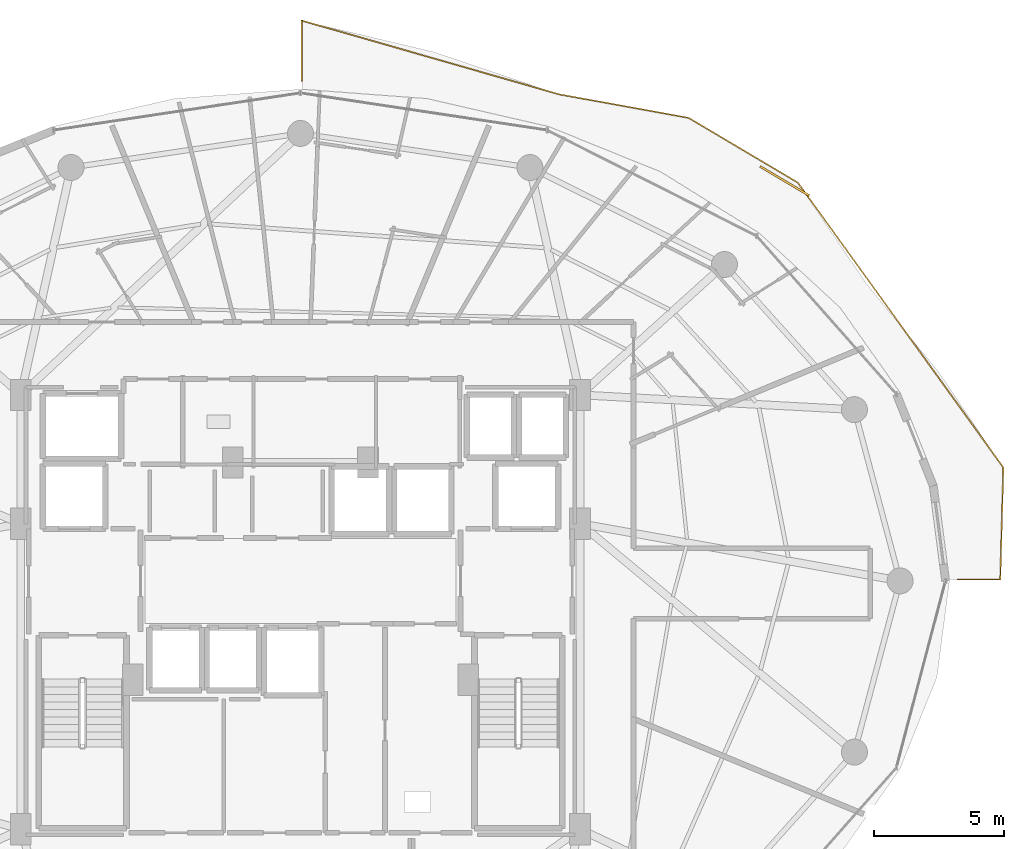
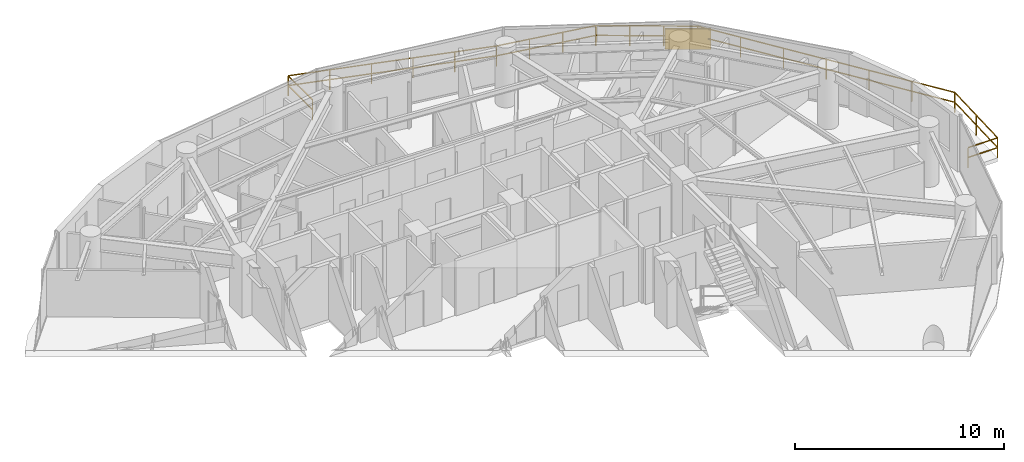
# One storey, part 27 of 28: 2 railings, 1 shading device.
"""IFC4 building model written with IfcOpenShell, lengths in metres."""

import ifcopenshell
import ifcopenshell.guid

model = None  # the IFC model being written
_history = None  # IfcOwnerHistory: only IFC2X3 demands one
_inside = {}  # id of a spatial element -> (the spatial element, [elements in it])
_under = {}  # id of a project, library or spatial element -> (it, [spatial elements below it])
_declared = {}  # id of a project -> (the project, [libraries it declares])
_typed = {}  # id of a type object -> (the type object, [elements of that type])
_made_of = {}  # id of a material, layer set ... -> (it, [elements and type objects made of it])


def new_model(schema):
    """Start an empty IFC model of exactly this schema.

    Asked for "IFC4X3", IfcOpenShell would pick the latest addendum, in which some entities
    have other attributes; the version numbers below select the first issue.
    IFC2X3 requires an IfcOwnerHistory on every rooted entity: one is made here for all.
    """
    global model, _history
    if schema == "IFC4X3":
        model = ifcopenshell.file(schema_version=(4, 3, 0, 0))
    else:
        model = ifcopenshell.file(schema=schema)
    _inside.clear()
    _under.clear()
    _declared.clear()
    _typed.clear()
    _made_of.clear()
    _history = None
    if model.schema == "IFC2X3":
        org = make("IfcOrganization", Name="unknown")
        user = make(
            "IfcPersonAndOrganization",
            ThePerson=make("IfcPerson", FamilyName="unknown"),
            TheOrganization=org,
        )
        app = make(
            "IfcApplication",
            ApplicationDeveloper=org,
            Version="unknown",
            ApplicationFullName="unknown",
            ApplicationIdentifier="unknown",
        )
        _history = make(
            "IfcOwnerHistory",
            OwningUser=user,
            OwningApplication=app,
            ChangeAction="ADDED",
            CreationDate=0,
        )
    return model


def make(cls, **values):
    """One entity of the class cls with the attributes given. An attribute that is None is left unset."""
    return model.create_entity(
        cls, **{name: value for name, value in values.items() if value is not None}
    )


def rooted(cls, **values):
    """An entity with a GlobalId (a new one), such as an element, a storey or a relation."""
    return make(cls, GlobalId=ifcopenshell.guid.new(), OwnerHistory=_history, **values)


def si_unit(unit_type, name, prefix=None):
    """IfcSIUnit, for example si_unit("LENGTHUNIT", "METRE", prefix="MILLI")."""
    return make("IfcSIUnit", UnitType=unit_type, Prefix=prefix, Name=name)


def assignment(units):
    """IfcUnitAssignment: the units of a project."""
    return None if units is None else make("IfcUnitAssignment", Units=units)


def point(xyz):
    """IfcCartesianPoint."""
    return None if xyz is None else make("IfcCartesianPoint", Coordinates=xyz)


def direction(xyz):
    """IfcDirection."""
    return None if xyz is None else make("IfcDirection", DirectionRatios=xyz)


def frame(location, z_axis=None, x_axis=None):
    """IfcAxis2Placement3D, a coordinate frame: its origin and axes. An axis left out is left unset."""
    return make(
        "IfcAxis2Placement3D",
        Location=point(location),
        Axis=direction(z_axis),
        RefDirection=direction(x_axis),
    )


def frame_2d(location, x_axis=None):
    """IfcAxis2Placement2D, a coordinate frame in the plane: its origin and x axis."""
    return make(
        "IfcAxis2Placement2D", Location=point(location), RefDirection=direction(x_axis)
    )


def origin():
    """The frame at (0, 0, 0) with its axes left unset."""
    return frame((0.0, 0.0, 0.0))


def origin_2d():
    """The frame at (0, 0) in the plane with its x axis left unset."""
    return frame_2d((0.0, 0.0))


def place(relative_to, where):
    """IfcLocalPlacement: puts the frame where relative to a parent placement (None: the world)."""
    return make(
        "IfcLocalPlacement", PlacementRelTo=relative_to, RelativePlacement=where
    )


def context(
    kind, dimensions, precision=None, world=None, true_north=None, identifier=None
):
    """IfcGeometricRepresentationContext, for example the 3D "Model" context."""
    return make(
        "IfcGeometricRepresentationContext",
        ContextIdentifier=identifier,
        ContextType=kind,
        CoordinateSpaceDimension=dimensions,
        Precision=precision,
        WorldCoordinateSystem=world,
        TrueNorth=true_north,
    )


def subcontext(parent, identifier, kind, view, scale=None):
    """IfcGeometricRepresentationSubContext, for example "Body" below "Model"."""
    return make(
        "IfcGeometricRepresentationSubContext",
        ContextIdentifier=identifier,
        ContextType=kind,
        ParentContext=parent,
        TargetScale=scale,
        TargetView=view,
    )


def project(units=None, contexts=None):
    """IfcProject with its units and contexts."""
    return rooted(
        "IfcProject",
        Name="project",
        RepresentationContexts=contexts,
        UnitsInContext=assignment(units),
    )


def spatial(cls, under=None, at=None, **own):
    """A site, building, storey or space (cls), placed at a placement, below another one or the project."""
    s = rooted(cls, ObjectPlacement=at, **own)
    if under is not None:
        _under.setdefault(under.id(), (under, []))[1].append(s)
    return s


def profile(cls, at=None, kind="AREA", **sizes):
    """A parametric profile (cls). Its sizes go by their IFC names, for example OverallWidth=200.0."""
    return make(cls, ProfileType=kind, Position=at, **sizes)


def rectangle(**sizes):
    """IfcRectangleProfileDef."""
    return profile("IfcRectangleProfileDef", **sizes)


def extrude(swept, where, along, depth):
    """IfcExtrudedAreaSolid: the profile swept, set in the frame where, extruded along a direction by depth."""
    return make(
        "IfcExtrudedAreaSolid",
        SweptArea=swept,
        Position=where,
        ExtrudedDirection=direction(along),
        Depth=depth,
    )


def shape(context_of_items, identifier, shape_type, items):
    """IfcShapeRepresentation: the items that make up one representation, for example the "Body"."""
    return make(
        "IfcShapeRepresentation",
        ContextOfItems=context_of_items,
        RepresentationIdentifier=identifier,
        RepresentationType=shape_type,
        Items=items,
    )


def material(Name=None, Category=None):
    """IfcMaterial."""
    return make("IfcMaterial", Name=Name, Category=Category)


def made_of(thing, what):
    """Note that an element or type object is made of a material, layer set ...; save() writes the relation."""
    if what is not None:
        _made_of.setdefault(what.id(), (what, []))[1].append(thing)
    return thing


def type_object(cls, material=None, **own):
    """A type object (cls), such as IfcWallType, which elements share."""
    return made_of(rooted(cls, **own), material)


def element(
    cls,
    number,
    at=None,
    inside=None,
    cuts=None,
    type_object=None,
    material=None,
    context=None,
    identifier="Body",
    shape_type=None,
    held_by="IfcProductDefinitionShape",
    body=None,
    shapes=None,
    **own,
):
    """One element of the class cls, such as IfcWall. Its Tag is "e" and its number.

    at: its placement. inside: the storey or other place that contains it. cuts: it is an
    opening in that element (IfcRelVoidsElement). A single representation is given by context,
    identifier, shape_type and body (its items); several are given by shapes. held_by: the class
    of the entity that holds the representations. save() writes the other relations.
    """
    e = rooted(cls, Tag="e%d" % number, ObjectPlacement=at, **own)
    if body is not None:
        shapes = [shape(context, identifier, shape_type, body)]
    if shapes is not None:
        e.Representation = make(held_by, Representations=shapes)
    if inside is not None:
        _inside.setdefault(inside.id(), (inside, []))[1].append(e)
    if cuts is not None:
        rooted(
            "IfcRelVoidsElement", RelatingBuildingElement=cuts, RelatedOpeningElement=e
        )
    if type_object is not None:
        _typed.setdefault(type_object.id(), (type_object, []))[1].append(e)
    return made_of(e, material)


def aggregate(whole, parts):
    """IfcRelAggregates: a whole, such as a stair, and the parts it consists of."""
    return rooted("IfcRelAggregates", RelatingObject=whole, RelatedObjects=parts)


def save(model, path):
    """Write the relations noted so far, then the file.

    IfcRelAggregates (storeys below a building ...), IfcRelContainedInSpatialStructure (elements
    in a storey), IfcRelDefinesByType, IfcRelAssociatesMaterial and IfcRelDeclares: one each for
    every whole, place, type object, material and project.
    """
    for whole, parts in _under.values():
        aggregate(whole, parts)
    for where, things in _inside.values():
        rooted(
            "IfcRelContainedInSpatialStructure",
            RelatedElements=things,
            RelatingStructure=where,
        )
    for kind, things in _typed.values():
        rooted("IfcRelDefinesByType", RelatedObjects=things, RelatingType=kind)
    for what, things in _made_of.values():
        rooted("IfcRelAssociatesMaterial", RelatedObjects=things, RelatingMaterial=what)
    for by, libraries in _declared.values():
        rooted("IfcRelDeclares", RelatingContext=by, RelatedDefinitions=libraries)
    model.write(path)


model = new_model("IFC4")

# Units and contexts
model_context = context("Model", 3, precision=1e-05, world=origin(), true_north=direction((0.0, 1.0)))
body_context = subcontext(model_context, "Body", "Model", "MODEL_VIEW")
ifc_project = project(units=[si_unit("LENGTHUNIT", "METRE"), si_unit("AREAUNIT", "SQUARE_METRE"), si_unit("VOLUMEUNIT", "CUBIC_METRE"), si_unit("PLANEANGLEUNIT", "RADIAN"), si_unit("MASSUNIT", "GRAM", prefix="KILO")], contexts=[model_context])

# Site, building, storey
site_placement = place(None, origin())
site = spatial("IfcSite", under=ifc_project, at=site_placement, CompositionType="ELEMENT")
building_placement = place(site_placement, origin())
building = spatial("IfcBuilding", under=site, at=building_placement, Name="Vorneva Point Tower", CompositionType="ELEMENT")
storey_placement = place(building_placement, frame((0.0, 0.0, 143.10009765625)))
storey = spatial("IfcBuildingStorey", under=building, at=storey_placement, Name="L38", CompositionType="ELEMENT", Elevation=143.10009765625)

# Railings
ifc_material = material(Name="Pale anodised aluminium", Category="aluminium")
railing_type = type_object("IfcRailingType", Name="RL-BAL-1200", PredefinedType="BALUSTRADE", material=ifc_material)
railing_1_placement = place(storey_placement, frame((38.050048828125, 47.5380859375, 0.0)))
element("IfcRailing", 1, at=railing_1_placement, inside=storey, type_object=railing_type, Name="L38 Wave Balcony Balustrade NE.1", PredefinedType="BALUSTRADE", context=body_context, shape_type="SweptSolid", body=[
    extrude(rectangle(XDim=0.048095703125, YDim=0.048095703125, at=origin_2d()), frame((0.0, 0.0, 1.17578125), z_axis=(0.0, -1.0, 0.0), x_axis=(1.0, 0.0, 0.0)), (0.0, 0.0, 1.0), 2.32080078125),
    extrude(rectangle(XDim=0.048095703125, YDim=0.048095703125, at=origin_2d()), frame((0.0, 0.0, 0.60009765625), z_axis=(0.0, -1.0, 0.0), x_axis=(1.0, 0.0, 0.0)), (0.0, 0.0, 1.0), 2.32080078125),
    extrude(rectangle(XDim=0.0419921875, YDim=0.0419921875, at=origin_2d()), origin(), (0.0, 0.0, 1.0), 1.15185546875),
    extrude(rectangle(XDim=0.0419921875, YDim=0.0419921875, at=origin_2d()), frame((0.0, -2.32080078125, 0.0)), (0.0, 0.0, 1.0), 1.15185546875),
])
railing_2_placement = place(storey_placement, frame((63.26611328125, 26.050048828125, 0.0)))
element("IfcRailing", 2, at=railing_2_placement, inside=storey, type_object=railing_type, Name="L38 Wave Balcony Balustrade NE.2", PredefinedType="BALUSTRADE", context=body_context, shape_type="SweptSolid", body=[
    extrude(rectangle(XDim=0.048095703125, YDim=0.048095703125, at=origin_2d()), frame((0.0, 0.0, 1.17578125), z_axis=(1.0, 0.0, 0.0), x_axis=(0.0, 1.0, 0.0)), (0.0, 0.0, 1.0), 1.63525390625),
    extrude(rectangle(XDim=0.048095703125, YDim=0.048095703125, at=origin_2d()), frame((0.0, 0.0, 0.60009765625), z_axis=(1.0, 0.0, 0.0), x_axis=(0.0, 1.0, 0.0)), (0.0, 0.0, 1.0), 1.63525390625),
    extrude(rectangle(XDim=0.048095703125, YDim=0.048095703125, at=origin_2d()), frame((1.63525390625, 0.0, 1.17578125), z_axis=(0.027710443314, 0.999615991935, 0.0), x_axis=(-0.999615991935, 0.027710443314, 0.0)), (0.0, 0.0, 1.0), 4.308349609375),
    extrude(rectangle(XDim=0.048095703125, YDim=0.048095703125, at=origin_2d()), frame((1.63525390625, 0.0, 0.60009765625), z_axis=(0.027710443314, 0.999615991935, 0.0), x_axis=(-0.999615991935, 0.027710443314, 0.0)), (0.0, 0.0, 1.0), 4.308349609375),
    extrude(rectangle(XDim=0.048095703125, YDim=0.048095703125, at=origin_2d()), frame((1.754638671875, 4.306640625, 1.17578125), z_axis=(-0.584957265897, 0.811064114034, 0.0), x_axis=(-0.811064114034, -0.584957265897, 0.0)), (0.0, 0.0, 1.0), 13.5087890625),
    extrude(rectangle(XDim=0.048095703125, YDim=0.048095703125, at=origin_2d()), frame((1.754638671875, 4.306640625, 0.60009765625), z_axis=(-0.584957265897, 0.811064114034, 0.0), x_axis=(-0.811064114034, -0.584957265897, 0.0)), (0.0, 0.0, 1.0), 13.5087890625),
    extrude(rectangle(XDim=0.048095703125, YDim=0.048095703125, at=origin_2d()), frame((-6.1474609375, 15.26318359375, 1.17578125), z_axis=(-0.860395480632, 0.509626938955, 0.0), x_axis=(-0.509626938955, -0.860395480632, 0.0)), (0.0, 0.0, 1.0), 4.882568359375),
    extrude(rectangle(XDim=0.048095703125, YDim=0.048095703125, at=origin_2d()), frame((-6.1474609375, 15.26318359375, 0.60009765625), z_axis=(-0.860395480632, 0.509626938955, 0.0), x_axis=(-0.509626938955, -0.860395480632, 0.0)), (0.0, 0.0, 1.0), 4.882568359375),
    extrude(rectangle(XDim=0.048095703125, YDim=0.048095703125, at=origin_2d()), frame((-10.348388671875, 17.75146484375, 1.17578125), z_axis=(-0.983942381483, 0.178486385816, 0.0), x_axis=(-0.178486385816, -0.983942381483, 0.0)), (0.0, 0.0, 1.0), 5.06103515625),
    extrude(rectangle(XDim=0.048095703125, YDim=0.048095703125, at=origin_2d()), frame((-10.348388671875, 17.75146484375, 0.60009765625), z_axis=(-0.983942381483, 0.178486385816, 0.0), x_axis=(-0.178486385816, -0.983942381483, 0.0)), (0.0, 0.0, 1.0), 5.06103515625),
    extrude(rectangle(XDim=0.048095703125, YDim=0.048095703125, at=origin_2d()), frame((-15.328125, 18.65478515625, 1.17578125), z_axis=(-0.961314976181, 0.275451477706, 0.0), x_axis=(-0.275451477706, -0.961314976181, 0.0)), (0.0, 0.0, 1.0), 10.285888671875),
    extrude(rectangle(XDim=0.048095703125, YDim=0.048095703125, at=origin_2d()), frame((-15.328125, 18.65478515625, 0.60009765625), z_axis=(-0.961314976181, 0.275451477706, 0.0), x_axis=(-0.275451477706, -0.961314976181, 0.0)), (0.0, 0.0, 1.0), 10.285888671875),
    extrude(rectangle(XDim=0.0419921875, YDim=0.0419921875, at=origin_2d()), origin(), (0.0, 0.0, 1.0), 1.15185546875),
    extrude(rectangle(XDim=0.0419921875, YDim=0.0419921875, at=origin_2d()), frame((1.63525390625, 0.0, 0.0)), (0.0, 0.0, 1.0), 1.15185546875),
    extrude(rectangle(XDim=0.0419921875, YDim=0.0419921875, at=origin_2d()), frame((1.69482421875, 2.1533203125, 0.0)), (0.0, 0.0, 1.0), 1.15185546875),
    extrude(rectangle(XDim=0.0419921875, YDim=0.0419921875, at=origin_2d()), frame((1.754638671875, 4.306640625, 0.0)), (0.0, 0.0, 1.0), 1.15185546875),
    extrude(rectangle(XDim=0.0419921875, YDim=0.0419921875, at=origin_2d()), frame((0.4375, 6.1328125, 0.0)), (0.0, 0.0, 1.0), 1.15185546875),
    extrude(rectangle(XDim=0.0419921875, YDim=0.0419921875, at=origin_2d()), frame((-0.87939453125, 7.958740234375, 0.0)), (0.0, 0.0, 1.0), 1.15185546875),
    extrude(rectangle(XDim=0.0419921875, YDim=0.0419921875, at=origin_2d()), frame((-2.1962890625, 9.784912109375, 0.0)), (0.0, 0.0, 1.0), 1.15185546875),
    extrude(rectangle(XDim=0.0419921875, YDim=0.0419921875, at=origin_2d()), frame((-3.513427734375, 11.611083984375, 0.0)), (0.0, 0.0, 1.0), 1.15185546875),
    extrude(rectangle(XDim=0.0419921875, YDim=0.0419921875, at=origin_2d()), frame((-4.83056640625, 13.43701171875, 0.0)), (0.0, 0.0, 1.0), 1.15185546875),
    extrude(rectangle(XDim=0.0419921875, YDim=0.0419921875, at=origin_2d()), frame((-6.1474609375, 15.26318359375, 0.0)), (0.0, 0.0, 1.0), 1.15185546875),
    extrude(rectangle(XDim=0.0419921875, YDim=0.0419921875, at=origin_2d()), frame((-7.5478515625, 16.092529296875, 0.0)), (0.0, 0.0, 1.0), 1.15185546875),
    extrude(rectangle(XDim=0.0419921875, YDim=0.0419921875, at=origin_2d()), frame((-8.947998046875, 16.922119140625, 0.0)), (0.0, 0.0, 1.0), 1.15185546875),
    extrude(rectangle(XDim=0.0419921875, YDim=0.0419921875, at=origin_2d()), frame((-10.348388671875, 17.75146484375, 0.0)), (0.0, 0.0, 1.0), 1.15185546875),
    extrude(rectangle(XDim=0.0419921875, YDim=0.0419921875, at=origin_2d()), frame((-12.00830078125, 18.052490234375, 0.0)), (0.0, 0.0, 1.0), 1.15185546875),
    extrude(rectangle(XDim=0.0419921875, YDim=0.0419921875, at=origin_2d()), frame((-13.668212890625, 18.353759765625, 0.0)), (0.0, 0.0, 1.0), 1.15185546875),
    extrude(rectangle(XDim=0.0419921875, YDim=0.0419921875, at=origin_2d()), frame((-15.328125, 18.65478515625, 0.0)), (0.0, 0.0, 1.0), 1.15185546875),
    extrude(rectangle(XDim=0.0419921875, YDim=0.0419921875, at=origin_2d()), frame((-17.3056640625, 19.221435546875, 0.0)), (0.0, 0.0, 1.0), 1.15185546875),
    extrude(rectangle(XDim=0.0419921875, YDim=0.0419921875, at=origin_2d()), frame((-19.283203125, 19.7880859375, 0.0)), (0.0, 0.0, 1.0), 1.15185546875),
    extrude(rectangle(XDim=0.0419921875, YDim=0.0419921875, at=origin_2d()), frame((-21.260986328125, 20.354736328125, 0.0)), (0.0, 0.0, 1.0), 1.15185546875),
    extrude(rectangle(XDim=0.0419921875, YDim=0.0419921875, at=origin_2d()), frame((-23.238525390625, 20.92138671875, 0.0)), (0.0, 0.0, 1.0), 1.15185546875),
    extrude(rectangle(XDim=0.0419921875, YDim=0.0419921875, at=origin_2d()), frame((-25.216064453125, 21.488037109375, 0.0)), (0.0, 0.0, 1.0), 1.15185546875),
])

# Shading device
shading_device_type = type_object("IfcShadingDeviceType", Name="SHD-JAL-1200", PredefinedType="JALOUSIE", material=ifc_material)
shading_device_placement = place(storey_placement, frame((56.614990234375, 41.37109375, -0.02001953125), z_axis=(0.0, 0.0, 1.0), x_axis=(-0.860386439326, 0.509642202947, 0.0)))
element("IfcShadingDevice", 3, at=shading_device_placement, inside=storey, type_object=shading_device_type, Name="L38 Balcony Vertical-Greenery Planter Screen NE.2", PredefinedType="JALOUSIE", context=body_context, shape_type="SweptSolid", body=[
    extrude(rectangle(XDim=2.199951171875, YDim=0.080078125, at=origin_2d()), origin(), (0.0, 0.0, 1.0), 1.199951171875),
])

save(model, "model.ifc")
